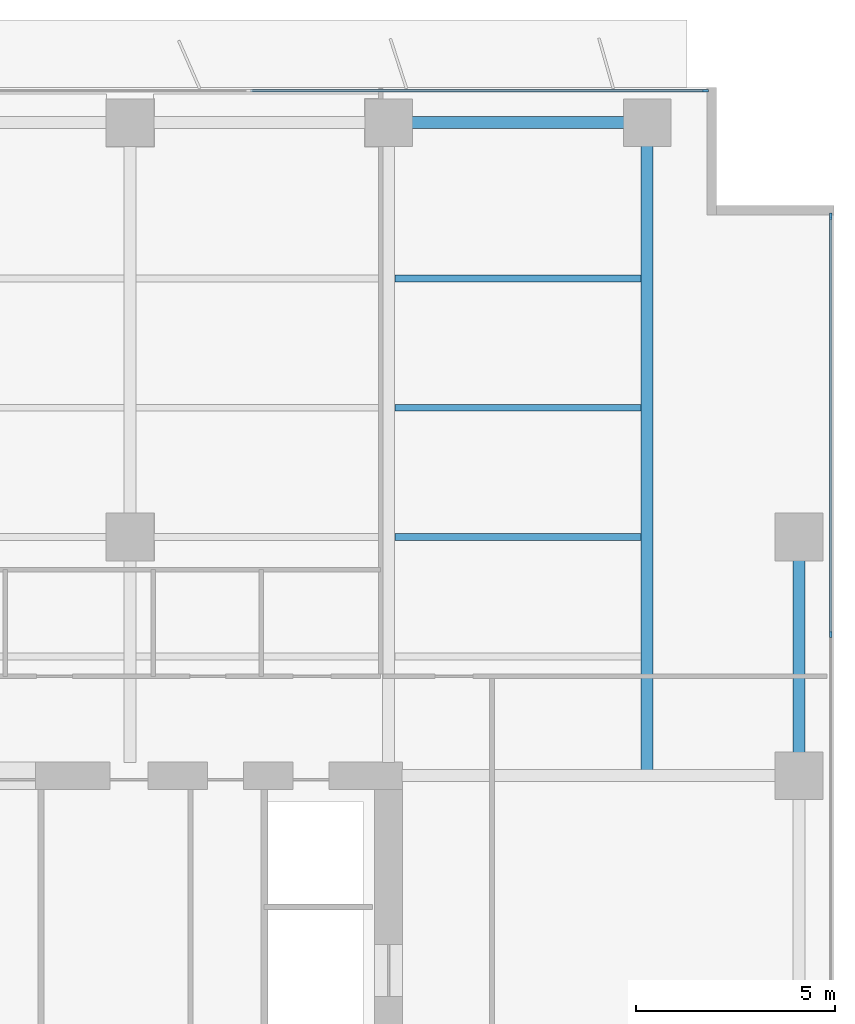
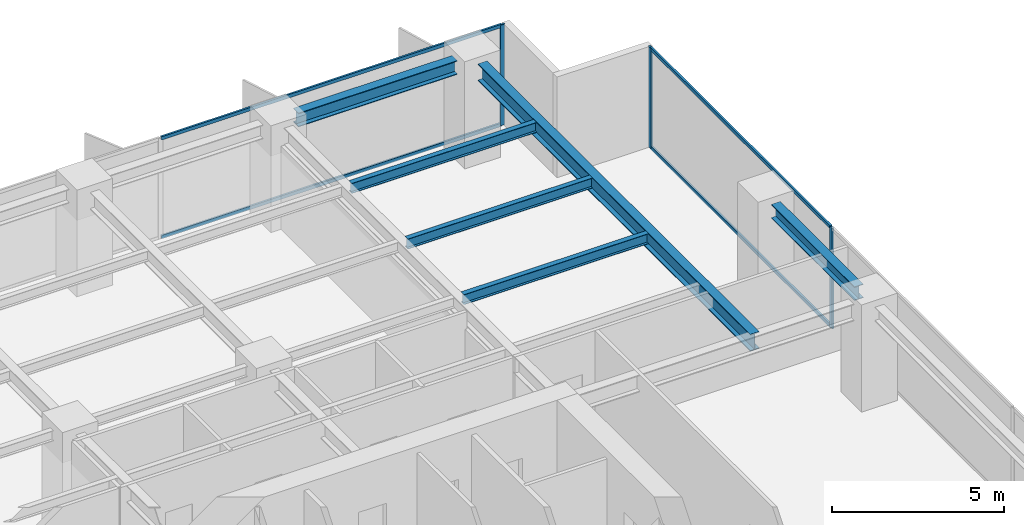
# One storey, part 11 of 19: 7 members, 6 beams, 2 elements without a shape of their own.
"""IFC4 building model written with IfcOpenShell, lengths in metres."""

from ifc_helpers import new_model, si_unit, direction, frame, origin, origin_2d, place, context, subcontext, project, spatial, rectangle, i_section, extrude, material, layer, layer_set, material_profile, profile_set, type_object, element, aggregate, save


model = new_model("IFC4")

# Units and contexts
model_context = context("Model", 3, precision=1e-05, world=origin(), true_north=direction((0.0, 1.0)))
body_context = subcontext(model_context, "Body", "Model", "MODEL_VIEW")
ifc_project = project(units=[si_unit("LENGTHUNIT", "METRE"), si_unit("AREAUNIT", "SQUARE_METRE"), si_unit("VOLUMEUNIT", "CUBIC_METRE"), si_unit("PLANEANGLEUNIT", "RADIAN"), si_unit("MASSUNIT", "GRAM", prefix="KILO")], contexts=[model_context])

# Site, building, storey
site_placement = place(None, origin())
site = spatial("IfcSite", under=ifc_project, at=site_placement, CompositionType="ELEMENT")
building_placement = place(site_placement, origin())
building = spatial("IfcBuilding", under=site, at=building_placement, Name="Putna Gate Headquarters", CompositionType="ELEMENT")
storey_placement = place(building_placement, frame((0.0, 0.0, 86.0)))
storey = spatial("IfcBuildingStorey", under=building, at=storey_placement, Name="L20", CompositionType="ELEMENT", Elevation=86.0)

# Beams
ifc_material_1 = material(Name="Steel S355J2", Category="steel")
ifc_material_profile_1 = material_profile(ifc_material_1, i_section(OverallWidth=0.300048828125, OverallDepth=0.60009765625, WebThickness=0.015380859375, FlangeThickness=0.030029296875, at=origin_2d()), Name="Steel S355J2")
ifc_profile_set_1 = profile_set([ifc_material_profile_1], Name="Steel S355J2")
beam_type_1 = type_object("IfcBeamType", Name="BM-GIRD-Z2-HEB600", PredefinedType="USERDEFINED", material=ifc_profile_set_1)
beam_1_placement = place(storey_placement, frame((71.5, 33.011962890625, 3.264892578125), z_axis=(0.0, 1.0, 0.0), x_axis=(-1.0, 0.0, 0.0)))
element("IfcBeam", 1, at=beam_1_placement, inside=storey, type_object=beam_type_1, Name="L20 North Primary Girder X71", ObjectType="GIRDER", PredefinedType="USERDEFINED", context=body_context, shape_type="SweptSolid", body=[
    extrude(i_section(OverallWidth=0.300048828125, OverallDepth=0.60009765625, WebThickness=0.015380859375, FlangeThickness=0.030029296875, at=origin_2d()), origin(), (0.0, 0.0, 1.0), 15.820068359375),
])
ifc_material_profile_2 = material_profile(ifc_material_1, i_section(OverallWidth=0.169921875, OverallDepth=0.360107421875, WebThickness=0.008056640625, FlangeThickness=0.0126953125, at=origin_2d()), Name="Steel S355J2")
ifc_profile_set_2 = profile_set([ifc_material_profile_2], Name="Steel S355J2")
beam_type_2 = type_object("IfcBeamType", Name="BM-SEC-Z2-IPE360", PredefinedType="BEAM", material=ifc_profile_set_2)
for number, where, z_axis, x_axis, name in (
    (2, (65.154052734375, 39.0, 3.385009765625), (1.0, 0.0, 0.0), (0.0, 1.0, 0.0), "L20 North Secondary Beam 10"),
    (3, (65.154052734375, 42.25, 3.385009765625), (1.0, 0.0, 0.0), (0.0, 1.0, 0.0), "L20 North Secondary Beam 10"),
    (4, (65.154052734375, 45.5, 3.385009765625), (1.0, 0.0, 0.0), (0.0, 1.0, 0.0), "L20 North Secondary Beam 10"),
):
    element("IfcBeam", number, at=place(storey_placement, frame(where, z_axis=z_axis, x_axis=x_axis)), inside=storey, type_object=beam_type_2, Name=name, PredefinedType="BEAM", context=body_context, shape_type="SweptSolid", body=[
        extrude(i_section(OverallWidth=0.169921875, OverallDepth=0.360107421875, WebThickness=0.008056640625, FlangeThickness=0.0126953125, at=origin_2d()), origin(), (0.0, 0.0, 1.0), 6.19189453125),
    ])
ifc_material_profile_3 = material_profile(ifc_material_1, i_section(OverallWidth=0.300048828125, OverallDepth=0.489990234375, WebThickness=0.011962890625, FlangeThickness=0.02294921875, at=origin_2d()), Name="Steel S355J2")
ifc_profile_set_3 = profile_set([ifc_material_profile_3], Name="Steel S355J2")
beam_type_3 = type_object("IfcBeamType", Name="BM-SPAN-Z2-HEA500", PredefinedType="SPANDREL", material=ifc_profile_set_3)
beam_2_placement = place(storey_placement, frame((65.587890625, 49.419921875, 3.320068359375), z_axis=(1.0, 0.0, 0.0), x_axis=(0.0, 1.0, 0.0)))
element("IfcBeam", 5, at=beam_2_placement, inside=storey, type_object=beam_type_3, Name="L20 N Perimeter Spandrel 10", PredefinedType="SPANDREL", context=body_context, shape_type="SweptSolid", body=[
    extrude(i_section(OverallWidth=0.300048828125, OverallDepth=0.489990234375, WebThickness=0.011962890625, FlangeThickness=0.02294921875, at=origin_2d()), origin(), (0.0, 0.0, 1.0), 5.32421875),
])
beam_3_placement = place(storey_placement, frame((75.320068359375, 33.587890625, 3.320068359375), z_axis=(0.0, 1.0, 0.0), x_axis=(-1.0, 0.0, 0.0)))
element("IfcBeam", 6, at=beam_3_placement, inside=storey, type_object=beam_type_3, Name="L20 E End Spandrel 3", PredefinedType="SPANDREL", context=body_context, shape_type="SweptSolid", body=[
    extrude(i_section(OverallWidth=0.300048828125, OverallDepth=0.489990234375, WebThickness=0.011962890625, FlangeThickness=0.02294921875, at=origin_2d()), origin(), (0.0, 0.0, 1.0), 4.82421875),
])

# Curtain wall, member
ifc_material_2 = material(Name="Anodised bronze aluminium curtain wall", Category="aluminium")
ifc_layer = layer(ifc_material_2, 0.159912109375)
ifc_layer_set = layer_set([ifc_layer], Name="Anodised bronze aluminium curtain wall")
curtain_wall_type = type_object("IfcCurtainWallType", Name="CW-SYS-Z2", PredefinedType="USERDEFINED", material=ifc_layer_set)
curtain_wall_1_placement = place(storey_placement, origin())
curtain_wall_1 = element("IfcCurtainWall", 7, at=curtain_wall_1_placement, inside=storey, type_object=curtain_wall_type, Name="L20 North East Curtain Wall", ObjectType="STICK CURTAIN WALL", PredefinedType="USERDEFINED")
ifc_material_3 = material(Name="Anodised bronze aluminium EN AW-6060", Category="aluminium")
ifc_material_profile_4 = material_profile(ifc_material_3, rectangle(XDim=0.06494140625, YDim=0.159912109375, at=origin_2d()), Name="Anodised bronze aluminium EN AW-6060")
ifc_profile_set_4 = profile_set([ifc_material_profile_4], Name="Anodised bronze aluminium EN AW-6060")
member_type_1 = type_object("IfcMemberType", Name="MULL-CWM-2", PredefinedType="MULLION", material=ifc_profile_set_4)
member_1_placement = place(storey_placement, frame((72.967529296875, 50.219970703125, 0.0), z_axis=(0.0, 0.0, 1.0), x_axis=(0.0, 1.0, 0.0)))
member_1 = element("IfcMember", 8, at=member_1_placement, type_object=member_type_1, Name="CWS-2 mullion 3", PredefinedType="MULLION", context=body_context, shape_type="SweptSolid", body=[
    extrude(rectangle(XDim=0.06494140625, YDim=0.159912109375, at=origin_2d()), origin(), (0.0, 0.0, 1.0), 3.56494140625),
])

# Curtain wall, members
curtain_wall_2_placement = place(storey_placement, origin())
curtain_wall_2 = element("IfcCurtainWall", 9, at=curtain_wall_2_placement, inside=storey, type_object=curtain_wall_type, Name="L20 East Curtain Wall", ObjectType="STICK CURTAIN WALL", PredefinedType="USERDEFINED")
member_2_placement = place(storey_placement, frame((76.1201171875, 36.550048828125, 0.0), z_axis=(0.0, 0.0, 1.0), x_axis=(-1.0, 0.0, 0.0)))
member_2 = element("IfcMember", 10, at=member_2_placement, type_object=member_type_1, Name="CWS-2 mullion 4", PredefinedType="MULLION", context=body_context, shape_type="SweptSolid", body=[
    extrude(rectangle(XDim=0.06494140625, YDim=0.159912109375, at=origin_2d()), origin(), (0.0, 0.0, 1.0), 3.56494140625),
])
member_3_placement = place(storey_placement, frame((76.1201171875, 47.0673828125, 0.0), z_axis=(0.0, 0.0, 1.0), x_axis=(-1.0, 0.0, 0.0)))
member_3 = element("IfcMember", 11, at=member_3_placement, type_object=member_type_1, Name="CWS-2 mullion 5", PredefinedType="MULLION", context=body_context, shape_type="SweptSolid", body=[
    extrude(rectangle(XDim=0.06494140625, YDim=0.159912109375, at=origin_2d()), origin(), (0.0, 0.0, 1.0), 3.56494140625),
])

# Member
ifc_material_profile_5 = material_profile(ifc_material_3, rectangle(XDim=0.06494140625, YDim=0.1201171875, at=origin_2d()), Name="Anodised bronze aluminium EN AW-6060")
ifc_profile_set_5 = profile_set([ifc_material_profile_5], Name="Anodised bronze aluminium EN AW-6060")
member_type_2 = type_object("IfcMemberType", Name="TRAN-CWT-2", PredefinedType="USERDEFINED", material=ifc_profile_set_5)
member_4_placement = place(storey_placement, frame((61.532470703125, 50.219970703125, 0.032470703125), z_axis=(1.0, 0.0, 0.0), x_axis=(0.0, 1.0, 0.0)))
member_4 = element("IfcMember", 12, at=member_4_placement, type_object=member_type_2, Name="CWS-2 transom 2.1", ObjectType="TRANSOM", PredefinedType="USERDEFINED", context=body_context, shape_type="SweptSolid", body=[
    extrude(rectangle(XDim=0.06494140625, YDim=0.1201171875, at=origin_2d()), origin(), (0.0, 0.0, 1.0), 11.402587890625),
])

member_5_placement = place(storey_placement, frame((61.532470703125, 50.219970703125, 3.532470703125), z_axis=(1.0, 0.0, 0.0), x_axis=(0.0, 1.0, 0.0)))
member_5 = element("IfcMember", 13, at=member_5_placement, type_object=member_type_2, Name="CWS-2 transom 2.2", ObjectType="TRANSOM", PredefinedType="USERDEFINED", context=body_context, shape_type="SweptSolid", body=[
    extrude(rectangle(XDim=0.06494140625, YDim=0.1201171875, at=origin_2d()), origin(), (0.0, 0.0, 1.0), 11.402587890625),
])

aggregate(curtain_wall_1, [member_1, member_4, member_5])

member_6_placement = place(storey_placement, frame((76.1201171875, 36.58251953125, 0.032470703125), z_axis=(0.0, 1.0, 0.0), x_axis=(-1.0, 0.0, 0.0)))
member_6 = element("IfcMember", 14, at=member_6_placement, type_object=member_type_2, Name="CWS-2 transom 4.1", ObjectType="TRANSOM", PredefinedType="USERDEFINED", context=body_context, shape_type="SweptSolid", body=[
    extrude(rectangle(XDim=0.06494140625, YDim=0.1201171875, at=origin_2d()), origin(), (0.0, 0.0, 1.0), 10.452392578125),
])

member_7_placement = place(storey_placement, frame((76.1201171875, 36.58251953125, 3.532470703125), z_axis=(0.0, 1.0, 0.0), x_axis=(-1.0, 0.0, 0.0)))
member_7 = element("IfcMember", 15, at=member_7_placement, type_object=member_type_2, Name="CWS-2 transom 4.2", ObjectType="TRANSOM", PredefinedType="USERDEFINED", context=body_context, shape_type="SweptSolid", body=[
    extrude(rectangle(XDim=0.06494140625, YDim=0.1201171875, at=origin_2d()), origin(), (0.0, 0.0, 1.0), 10.452392578125),
])

aggregate(curtain_wall_2, [member_2, member_3, member_6, member_7])

save(model, "model.ifc")
